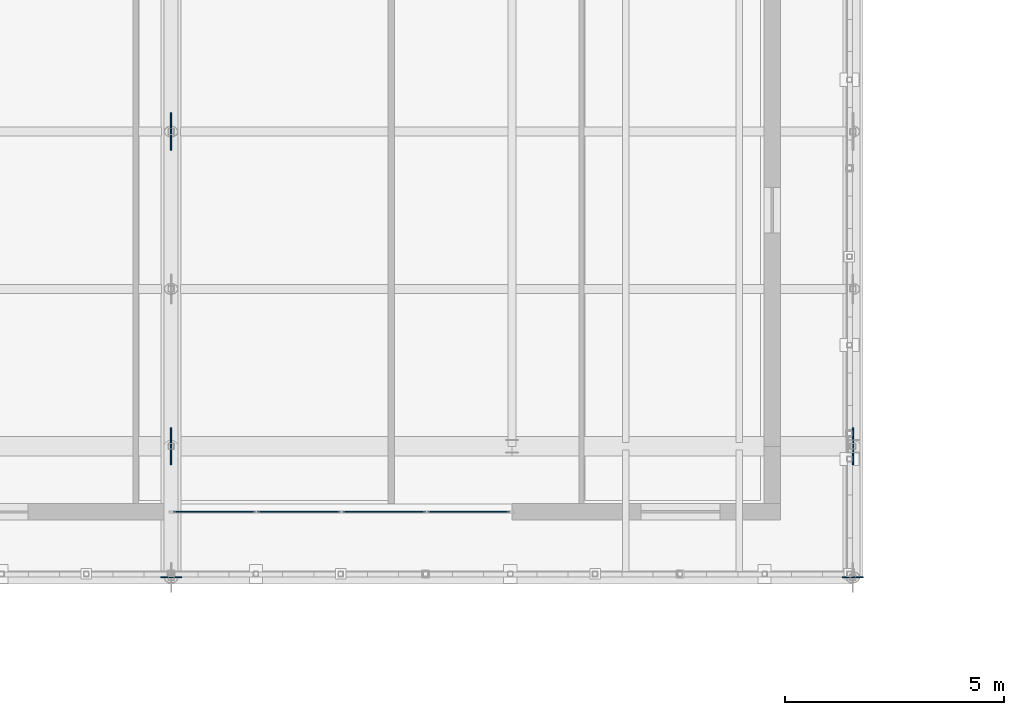
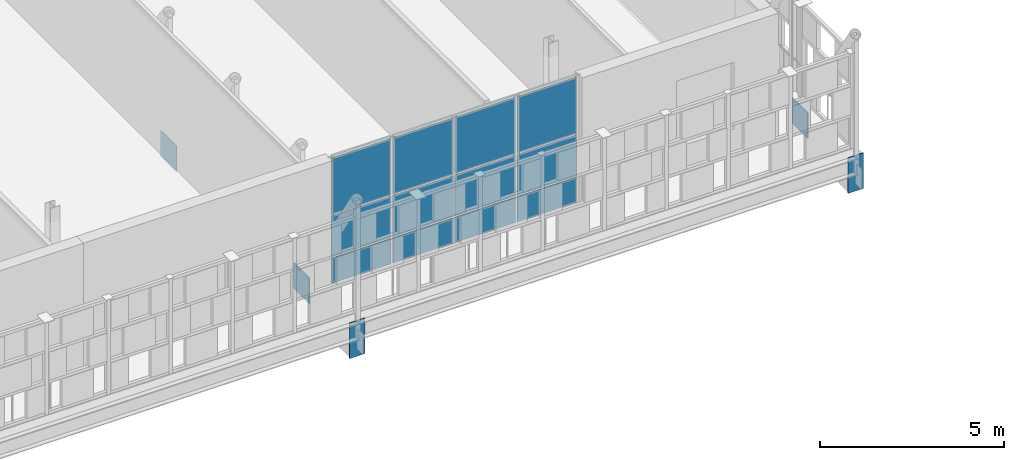
# One storey, part 48 of 89: 17 plates, 1 element without a shape of its own.
"""IFC4 building model written with IfcOpenShell, lengths in metres."""

from ifc_helpers import new_model, si_unit, direction, frame, origin, origin_2d, place, context, subcontext, project, spatial, rectangle, extrude, material, layer, layer_set, type_object, element, aggregate, save


model = new_model("IFC4")

# Units and contexts
model_context = context("Model", 3, precision=1e-05, world=origin(), true_north=direction((0.0, 1.0)))
body_context = subcontext(model_context, "Body", "Model", "MODEL_VIEW")
ifc_project = project(units=[si_unit("LENGTHUNIT", "METRE"), si_unit("AREAUNIT", "SQUARE_METRE"), si_unit("VOLUMEUNIT", "CUBIC_METRE"), si_unit("PLANEANGLEUNIT", "RADIAN"), si_unit("MASSUNIT", "GRAM", prefix="KILO")], contexts=[model_context])

# Site, building, storey
site_placement = place(None, origin())
site = spatial("IfcSite", under=ifc_project, at=site_placement, CompositionType="ELEMENT")
building_placement = place(site_placement, origin())
building = spatial("IfcBuilding", under=site, at=building_placement, Name="Celorna Specialist Clinic", CompositionType="ELEMENT")
storey_placement = place(building_placement, frame((0.0, 0.0, 14.10009765625)))
storey = spatial("IfcBuildingStorey", under=building, at=storey_placement, Name="L03", CompositionType="ELEMENT", Elevation=14.10009765625)

# Curtain wall, plates
ifc_material_1 = material(Name="Thermally broken aluminium and solar-control glass curtain wall", Category="aluminium")
ifc_layer_1 = layer(ifc_material_1, 0.159912109375, Name="Thermally broken aluminium and solar-control glass curtain wall")
ifc_layer_set_1 = layer_set([ifc_layer_1], Name="Thermally broken aluminium and solar-control glass curtain wall")
curtain_wall_type = type_object("IfcCurtainWallType", Name="CW-68", PredefinedType="NOTDEFINED", material=ifc_layer_set_1)
curtain_wall_placement = place(storey_placement, origin())
curtain_wall = element("IfcCurtainWall", 1, at=curtain_wall_placement, inside=storey, type_object=curtain_wall_type, Name="Curtain wall CW-68 #197", PredefinedType="NOTDEFINED")
ifc_material_2 = material(Name="Low-e double glazing", Category="glass")
ifc_layer_2 = layer(ifc_material_2, 0.028076171875, Name="Low-e double glazing")
ifc_layer_set_2 = layer_set([ifc_layer_2], Name="Low-e double glazing")
plate_type_1 = type_object("IfcPlateType", Name="CPN-01", PredefinedType="CURTAIN_PANEL", material=ifc_layer_set_2)
plate_1_placement = place(storey_placement, frame((77.009521484375, 7.199951171875, 0.0498046875), z_axis=(0.0, 0.0, 1.0), x_axis=(-1.0, 0.0, 0.0)))
plate_1 = element("IfcPlate", 2, at=plate_1_placement, type_object=plate_type_1, Name="CW-68 panel 1.1", PredefinedType="CURTAIN_PANEL", context=body_context, shape_type="SweptSolid", body=[
    extrude(rectangle(XDim=1.873046875, YDim=0.028076171875, at=origin_2d()), origin(), (0.0, 0.0, 1.0), 0.824951171875),
])
plate_2_placement = place(storey_placement, frame((77.009521484375, 7.199951171875, 0.9248046875), z_axis=(0.0, 0.0, 1.0), x_axis=(-1.0, 0.0, 0.0)))
plate_2 = element("IfcPlate", 3, at=plate_2_placement, type_object=plate_type_1, Name="CW-68 panel 1.2", PredefinedType="CURTAIN_PANEL", context=body_context, shape_type="SweptSolid", body=[
    extrude(rectangle(XDim=1.873046875, YDim=0.028076171875, at=origin_2d()), origin(), (0.0, 0.0, 1.0), 1.35009765625),
])
plate_3_placement = place(storey_placement, frame((77.009521484375, 7.199951171875, 2.32470703125), z_axis=(0.0, 0.0, 1.0), x_axis=(-1.0, 0.0, 0.0)))
plate_3 = element("IfcPlate", 4, at=plate_3_placement, type_object=plate_type_1, Name="CW-68 panel 1.3", PredefinedType="CURTAIN_PANEL", context=body_context, shape_type="SweptSolid", body=[
    extrude(rectangle(XDim=1.873046875, YDim=0.028076171875, at=origin_2d()), origin(), (0.0, 0.0, 1.0), 1.864990234375),
])
plate_4_placement = place(storey_placement, frame((75.073974609375, 7.199951171875, 0.0498046875), z_axis=(0.0, 0.0, 1.0), x_axis=(-1.0, 0.0, 0.0)))
plate_4 = element("IfcPlate", 5, at=plate_4_placement, type_object=plate_type_1, Name="CW-68 panel 2.1", PredefinedType="CURTAIN_PANEL", context=body_context, shape_type="SweptSolid", body=[
    extrude(rectangle(XDim=1.89794921875, YDim=0.028076171875, at=origin_2d()), origin(), (0.0, 0.0, 1.0), 0.824951171875),
])
plate_5_placement = place(storey_placement, frame((75.073974609375, 7.199951171875, 0.9248046875), z_axis=(0.0, 0.0, 1.0), x_axis=(-1.0, 0.0, 0.0)))
plate_5 = element("IfcPlate", 6, at=plate_5_placement, type_object=plate_type_1, Name="CW-68 panel 2.2", PredefinedType="CURTAIN_PANEL", context=body_context, shape_type="SweptSolid", body=[
    extrude(rectangle(XDim=1.89794921875, YDim=0.028076171875, at=origin_2d()), origin(), (0.0, 0.0, 1.0), 1.35009765625),
])
plate_6_placement = place(storey_placement, frame((75.073974609375, 7.199951171875, 2.32470703125), z_axis=(0.0, 0.0, 1.0), x_axis=(-1.0, 0.0, 0.0)))
plate_6 = element("IfcPlate", 7, at=plate_6_placement, type_object=plate_type_1, Name="CW-68 panel 2.3", PredefinedType="CURTAIN_PANEL", context=body_context, shape_type="SweptSolid", body=[
    extrude(rectangle(XDim=1.89794921875, YDim=0.028076171875, at=origin_2d()), origin(), (0.0, 0.0, 1.0), 1.864990234375),
])
plate_7_placement = place(storey_placement, frame((73.1259765625, 7.199951171875, 0.0498046875), z_axis=(0.0, 0.0, 1.0), x_axis=(-1.0, 0.0, 0.0)))
plate_7 = element("IfcPlate", 8, at=plate_7_placement, type_object=plate_type_1, Name="CW-68 panel 3.1", PredefinedType="CURTAIN_PANEL", context=body_context, shape_type="SweptSolid", body=[
    extrude(rectangle(XDim=1.89794921875, YDim=0.028076171875, at=origin_2d()), origin(), (0.0, 0.0, 1.0), 0.824951171875),
])
plate_8_placement = place(storey_placement, frame((73.1259765625, 7.199951171875, 0.9248046875), z_axis=(0.0, 0.0, 1.0), x_axis=(-1.0, 0.0, 0.0)))
plate_8 = element("IfcPlate", 9, at=plate_8_placement, type_object=plate_type_1, Name="CW-68 panel 3.2", PredefinedType="CURTAIN_PANEL", context=body_context, shape_type="SweptSolid", body=[
    extrude(rectangle(XDim=1.89794921875, YDim=0.028076171875, at=origin_2d()), origin(), (0.0, 0.0, 1.0), 1.35009765625),
])
plate_9_placement = place(storey_placement, frame((73.1259765625, 7.199951171875, 2.32470703125), z_axis=(0.0, 0.0, 1.0), x_axis=(-1.0, 0.0, 0.0)))
plate_9 = element("IfcPlate", 10, at=plate_9_placement, type_object=plate_type_1, Name="CW-68 panel 3.3", PredefinedType="CURTAIN_PANEL", context=body_context, shape_type="SweptSolid", body=[
    extrude(rectangle(XDim=1.89794921875, YDim=0.028076171875, at=origin_2d()), origin(), (0.0, 0.0, 1.0), 1.864990234375),
])
plate_10_placement = place(storey_placement, frame((71.1904296875, 7.199951171875, 0.0498046875), z_axis=(0.0, 0.0, 1.0), x_axis=(-1.0, 0.0, 0.0)))
plate_10 = element("IfcPlate", 11, at=plate_10_placement, type_object=plate_type_1, Name="CW-68 panel 4.1", PredefinedType="CURTAIN_PANEL", context=body_context, shape_type="SweptSolid", body=[
    extrude(rectangle(XDim=1.873046875, YDim=0.028076171875, at=origin_2d()), origin(), (0.0, 0.0, 1.0), 0.824951171875),
])
plate_11_placement = place(storey_placement, frame((71.1904296875, 7.199951171875, 0.9248046875), z_axis=(0.0, 0.0, 1.0), x_axis=(-1.0, 0.0, 0.0)))
plate_11 = element("IfcPlate", 12, at=plate_11_placement, type_object=plate_type_1, Name="CW-68 panel 4.2", PredefinedType="CURTAIN_PANEL", context=body_context, shape_type="SweptSolid", body=[
    extrude(rectangle(XDim=1.873046875, YDim=0.028076171875, at=origin_2d()), origin(), (0.0, 0.0, 1.0), 1.35009765625),
])
plate_12_placement = place(storey_placement, frame((71.1904296875, 7.199951171875, 2.32470703125), z_axis=(0.0, 0.0, 1.0), x_axis=(-1.0, 0.0, 0.0)))
plate_12 = element("IfcPlate", 13, at=plate_12_placement, type_object=plate_type_1, Name="CW-68 panel 4.3", PredefinedType="CURTAIN_PANEL", context=body_context, shape_type="SweptSolid", body=[
    extrude(rectangle(XDim=1.873046875, YDim=0.028076171875, at=origin_2d()), origin(), (0.0, 0.0, 1.0), 1.864990234375),
])
aggregate(curtain_wall, [plate_1, plate_2, plate_3, plate_4, plate_5, plate_6, plate_7, plate_8, plate_9, plate_10, plate_11, plate_12])

# Plates
ifc_material_3 = material(Name="Steel S355", Category="steel")
ifc_layer_3 = layer(ifc_material_3, 0.02490234375, Name="Steel S355")
ifc_layer_set_3 = layer_set([ifc_layer_3], Name="Steel S355")
plate_type_2 = type_object("IfcPlateType", Name="EP-01", PredefinedType="SHEET", material=ifc_layer_set_3)
for number, where, z_axis, x_axis, name in (
    (14, (70.199951171875, 5.699951171875, -1.42529296875), (0.0, 0.0, 1.0), (1.0, 0.0, 0.0), "Truss chord end cap plate EP-01 #29"),
    (15, (85.800048828125, 5.699951171875, -1.42529296875), (0.0, 0.0, 1.0), (1.0, 0.0, 0.0), "Truss chord end cap plate EP-01 #51"),
):
    element("IfcPlate", number, at=place(storey_placement, frame(where, z_axis=z_axis, x_axis=x_axis)), inside=storey, type_object=plate_type_2, Name=name, PredefinedType="SHEET", context=body_context, shape_type="SweptSolid", body=[
        extrude(rectangle(XDim=0.47998046875, YDim=0.02490234375, at=origin_2d()), origin(), (0.0, 0.0, 1.0), 1.179931640625),
    ])
ifc_layer_4 = layer(ifc_material_3, 0.028076171875, Name="Steel S355")
ifc_layer_set_4 = layer_set([ifc_layer_4], Name="Steel S355")
plate_type_3 = type_object("IfcPlateType", Name="GP-01", PredefinedType="USERDEFINED", material=ifc_layer_set_4)
for number, where, z_axis, x_axis, name in (
    (16, (70.199951171875, 8.699951171875, -1.26025390625), (0.0, 0.0, 1.0), (0.0, 1.0, 0.0), "Truss node gusset plate TN-042"),
    (17, (70.199951171875, 15.89990234375, -1.26025390625), (0.0, 0.0, 1.0), (0.0, 1.0, 0.0), "Truss node gusset plate TN-044"),
    (18, (85.800048828125, 8.699951171875, -1.26025390625), (0.0, 0.0, 1.0), (0.0, 1.0, 0.0), "Truss node gusset plate TN-066"),
):
    element("IfcPlate", number, at=place(storey_placement, frame(where, z_axis=z_axis, x_axis=x_axis)), inside=storey, type_object=plate_type_3, Name=name, ObjectType="GUSSET PLATE", PredefinedType="USERDEFINED", context=body_context, shape_type="SweptSolid", body=[
        extrude(rectangle(XDim=0.85009765625, YDim=0.028076171875, at=origin_2d()), origin(), (0.0, 0.0, 1.0), 0.85009765625),
    ])

save(model, "model.ifc")
